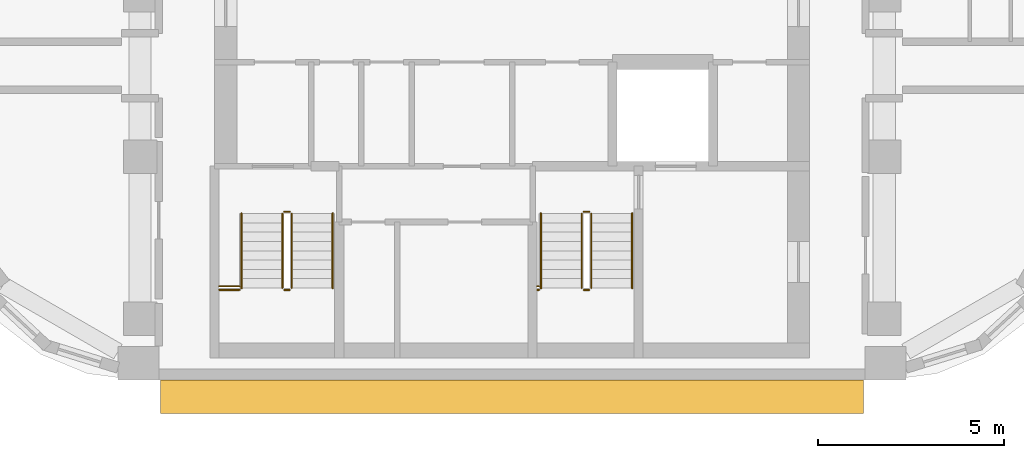
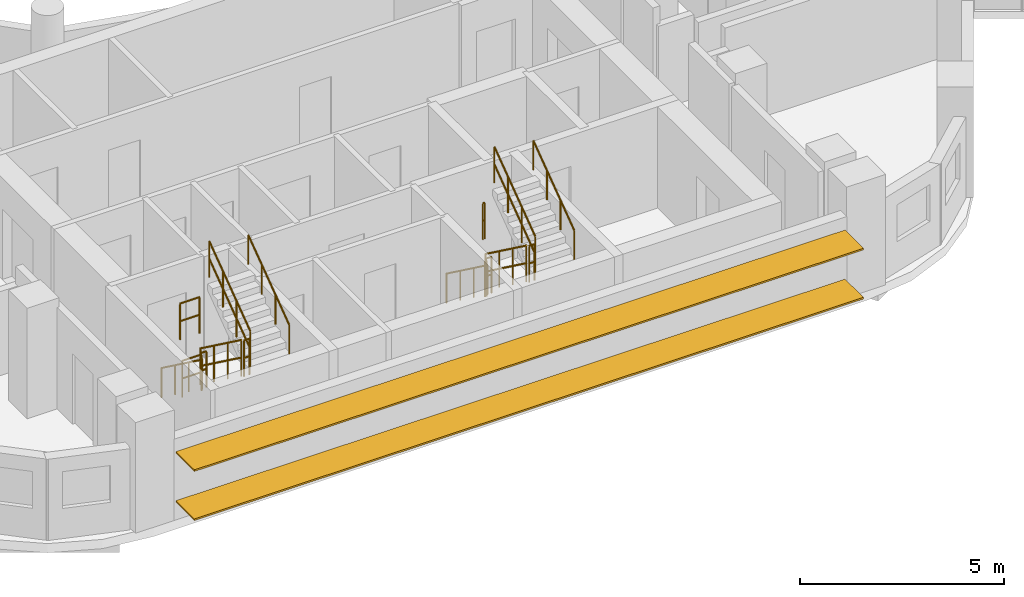
# One storey, part 12 of 14: 16 railings, 2 shading devices.
"""IFC4 building model written with IfcOpenShell, lengths in metres."""

from ifc_helpers import new_model, si_unit, direction, frame, origin, origin_2d, place, context, subcontext, project, spatial, rectangle, circle, extrude, material, material_profile, profile_set, type_object, element, save


model = new_model("IFC4")

# Units and contexts
model_context = context("Model", 3, precision=1e-05, world=origin(), true_north=direction((0.0, 1.0)))
body_context = subcontext(model_context, "Body", "Model", "MODEL_VIEW")
ifc_project = project(units=[si_unit("LENGTHUNIT", "METRE"), si_unit("AREAUNIT", "SQUARE_METRE"), si_unit("VOLUMEUNIT", "CUBIC_METRE"), si_unit("PLANEANGLEUNIT", "RADIAN"), si_unit("MASSUNIT", "GRAM", prefix="KILO")], contexts=[model_context])

# Site, building, storey
site_placement = place(None, origin())
site = spatial("IfcSite", under=ifc_project, at=site_placement, CompositionType="ELEMENT")
building_placement = place(site_placement, origin())
building = spatial("IfcBuilding", under=site, at=building_placement, Name="Nakaniwa Court", CompositionType="ELEMENT")
storey_placement = place(building_placement, frame((0.0, 0.0, 265.800048828125)))
storey = spatial("IfcBuildingStorey", under=building, at=storey_placement, Name="L70", CompositionType="ELEMENT", Elevation=265.800048828125)

# Shading devices
ifc_material_1 = material(Name="Perforated charcoal ceramic louvre blade")
ifc_material_profile = material_profile(ifc_material_1, rectangle(XDim=0.89990234375, YDim=0.050048828125, at=origin_2d()), Name="Perforated ceramic louvre blade")
ifc_profile_set = profile_set([ifc_material_profile], Name="Perforated charcoal ceramic louvre blade")
shading_device_type = type_object("IfcShadingDeviceType", Name="Perforated ceramic louvre blade", PredefinedType="JALOUSIE", material=ifc_profile_set)
for number, where, z_axis, x_axis, name in (
    (1, (70.55078125, 56.89990234375, 0.550048828125), (1.0, 0.0, 0.0), (0.0, 1.0, 0.0), "L70 perforated ceramic louvre blade w26 1"),
    (2, (70.55078125, 56.89990234375, 2.014892578125), (1.0, 0.0, 0.0), (0.0, 1.0, 0.0), "L70 perforated ceramic louvre blade w26 2"),
):
    element("IfcShadingDevice", number, at=place(storey_placement, frame(where, z_axis=z_axis, x_axis=x_axis)), inside=storey, type_object=shading_device_type, Name=name, PredefinedType="JALOUSIE", context=body_context, shape_type="SweptSolid", body=[
        extrude(rectangle(XDim=0.89990234375, YDim=0.050048828125, at=origin_2d()), origin(), (0.0, 0.0, 1.0), 18.892822265625),
    ])

# Railings
ifc_material_2 = material(Name="Black powder coated steel guard", Category="steel")
railing_type_1 = type_object("IfcRailingType", Name="Stair guard 1100", PredefinedType="GUARDRAIL", material=ifc_material_2)
railing_1_placement = place(storey_placement, frame((73.824951171875, 61.824951171875, 0.183349609375)))
element("IfcRailing", 3, at=railing_1_placement, inside=storey, type_object=railing_type_1, Name="L70 ST3 stair guard 1", PredefinedType="GUARDRAIL", context=body_context, shape_type="SweptSolid", body=[
    extrude(circle(Radius=0.02392578125, at=origin_2d()), frame((0.0, 0.0, 1.076171875), z_axis=(0.0, -0.806426902644, 0.591333789573), x_axis=(1.0, 0.0, 0.0)), (0.0, 0.0, 1.0), 2.47998046875),
    extrude(circle(Radius=0.02392578125, at=origin_2d()), frame((0.0, 0.0, 0.550048828125), z_axis=(0.0, -0.806426902644, 0.591333789573), x_axis=(1.0, 0.0, 0.0)), (0.0, 0.0, 1.0), 2.47998046875),
    extrude(circle(Radius=0.02099609375, at=origin_2d()), origin(), (0.0, 0.0, 1.0), 1.052001953125),
    extrude(circle(Radius=0.02099609375, at=origin_2d()), frame((0.0, -0.666748046875, 0.48876953125)), (0.0, 0.0, 1.0), 1.052001953125),
    extrude(circle(Radius=0.02099609375, at=origin_2d()), frame((0.0, -1.333251953125, 0.977783203125)), (0.0, 0.0, 1.0), 1.052001953125),
    extrude(circle(Radius=0.02099609375, at=origin_2d()), frame((0.0, -2.0, 1.466552734375)), (0.0, 0.0, 1.0), 1.052001953125),
])
railing_2_placement = place(storey_placement, frame((73.875, 59.77490234375, 1.64990234375)))
element("IfcRailing", 4, at=railing_2_placement, inside=storey, type_object=railing_type_1, Name="L70 ST3 stair guard 2", PredefinedType="GUARDRAIL", context=body_context, shape_type="SweptSolid", body=[
    extrude(circle(Radius=0.02392578125, at=origin_2d()), frame((0.0, 0.0, 1.076171875), z_axis=(1.0, 0.0, 0.0), x_axis=(0.0, 1.0, 0.0)), (0.0, 0.0, 1.0), 0.14990234375),
    extrude(circle(Radius=0.02392578125, at=origin_2d()), frame((0.0, 0.0, 0.550048828125), z_axis=(1.0, 0.0, 0.0), x_axis=(0.0, 1.0, 0.0)), (0.0, 0.0, 1.0), 0.14990234375),
    extrude(circle(Radius=0.02099609375, at=origin_2d()), origin(), (0.0, 0.0, 1.0), 1.052001953125),
    extrude(circle(Radius=0.02099609375, at=origin_2d()), frame((0.14990234375, 0.0, 0.0)), (0.0, 0.0, 1.0), 1.052001953125),
])
railing_3_placement = place(storey_placement, frame((74.074951171875, 59.824951171875, 1.833251953125)))
element("IfcRailing", 5, at=railing_3_placement, inside=storey, type_object=railing_type_1, Name="L70 ST3 stair guard 3", PredefinedType="GUARDRAIL", context=body_context, shape_type="SweptSolid", body=[
    extrude(circle(Radius=0.02392578125, at=origin_2d()), frame((0.0, 0.0, 1.076171875), z_axis=(0.0, 0.806379959628, 0.591397802423), x_axis=(-1.0, 0.0, 0.0)), (0.0, 0.0, 1.0), 2.480224609375),
    extrude(circle(Radius=0.02392578125, at=origin_2d()), frame((0.0, 0.0, 0.550048828125), z_axis=(0.0, 0.806379959628, 0.591397802423), x_axis=(-1.0, 0.0, 0.0)), (0.0, 0.0, 1.0), 2.480224609375),
    extrude(circle(Radius=0.02099609375, at=origin_2d()), origin(), (0.0, 0.0, 1.0), 1.052001953125),
    extrude(circle(Radius=0.02099609375, at=origin_2d()), frame((0.0, 0.666748046875, 0.489013671875)), (0.0, 0.0, 1.0), 1.052001953125),
    extrude(circle(Radius=0.02099609375, at=origin_2d()), frame((0.0, 1.333251953125, 0.977783203125)), (0.0, 0.0, 1.0), 1.052001953125),
    extrude(circle(Radius=0.02099609375, at=origin_2d()), frame((0.0, 2.0, 1.466796875)), (0.0, 0.0, 1.0), 1.052001953125),
])
railing_4_placement = place(storey_placement, frame((73.875, 61.875, 0.0)))
element("IfcRailing", 6, at=railing_4_placement, inside=storey, type_object=railing_type_1, Name="L70 ST3 stair guard 4", PredefinedType="GUARDRAIL", context=body_context, shape_type="SweptSolid", body=[
    extrude(circle(Radius=0.02392578125, at=origin_2d()), frame((0.0, 0.0, 1.076171875), z_axis=(1.0, 0.0, 0.0), x_axis=(0.0, 1.0, 0.0)), (0.0, 0.0, 1.0), 0.14990234375),
    extrude(circle(Radius=0.02392578125, at=origin_2d()), frame((0.0, 0.0, 0.550048828125), z_axis=(1.0, 0.0, 0.0), x_axis=(0.0, 1.0, 0.0)), (0.0, 0.0, 1.0), 0.14990234375),
    extrude(circle(Radius=0.02099609375, at=origin_2d()), origin(), (0.0, 0.0, 1.0), 1.052001953125),
    extrude(circle(Radius=0.02099609375, at=origin_2d()), frame((0.14990234375, 0.0, 0.0)), (0.0, 0.0, 1.0), 1.052001953125),
])
for number, where, name in (
    (7, (72.125, 59.77490234375, 1.64990234375), "L70 ST3 landing side guard 1W"),
    (8, (72.125, 59.875, 3.300048828125), "L70 ST3 floor edge guard 1W"),
):
    element("IfcRailing", number, at=place(storey_placement, frame(where)), inside=storey, type_object=railing_type_1, Name=name, PredefinedType="GUARDRAIL", context=body_context, shape_type="SweptSolid", body=[
        extrude(circle(Radius=0.02392578125, at=origin_2d()), frame((0.0, 0.0, 1.076171875), z_axis=(1.0, 0.0, 0.0), x_axis=(0.0, 1.0, 0.0)), (0.0, 0.0, 1.0), 0.550048828125),
        extrude(circle(Radius=0.02392578125, at=origin_2d()), frame((0.0, 0.0, 0.550048828125), z_axis=(1.0, 0.0, 0.0), x_axis=(0.0, 1.0, 0.0)), (0.0, 0.0, 1.0), 0.550048828125),
        extrude(circle(Radius=0.02099609375, at=origin_2d()), origin(), (0.0, 0.0, 1.0), 1.052001953125),
        extrude(circle(Radius=0.02099609375, at=origin_2d()), frame((0.550048828125, 0.0, 0.0)), (0.0, 0.0, 1.0), 1.052001953125),
    ])
railing_5_placement = place(storey_placement, frame((81.875, 61.824951171875, 0.183349609375)))
element("IfcRailing", 9, at=railing_5_placement, inside=storey, type_object=railing_type_1, Name="L70 ST4 stair guard 1", PredefinedType="GUARDRAIL", context=body_context, shape_type="SweptSolid", body=[
    extrude(circle(Radius=0.02392578125, at=origin_2d()), frame((0.0, 0.0, 1.076171875), z_axis=(0.0, -0.806426902644, 0.591333789573), x_axis=(1.0, 0.0, 0.0)), (0.0, 0.0, 1.0), 2.47998046875),
    extrude(circle(Radius=0.02392578125, at=origin_2d()), frame((0.0, 0.0, 0.550048828125), z_axis=(0.0, -0.806426902644, 0.591333789573), x_axis=(1.0, 0.0, 0.0)), (0.0, 0.0, 1.0), 2.47998046875),
    extrude(circle(Radius=0.02099609375, at=origin_2d()), origin(), (0.0, 0.0, 1.0), 1.052001953125),
    extrude(circle(Radius=0.02099609375, at=origin_2d()), frame((0.0, -0.666748046875, 0.48876953125)), (0.0, 0.0, 1.0), 1.052001953125),
    extrude(circle(Radius=0.02099609375, at=origin_2d()), frame((0.0, -1.333251953125, 0.977783203125)), (0.0, 0.0, 1.0), 1.052001953125),
    extrude(circle(Radius=0.02099609375, at=origin_2d()), frame((0.0, -2.0, 1.466552734375)), (0.0, 0.0, 1.0), 1.052001953125),
])
railing_6_placement = place(storey_placement, frame((81.925048828125, 59.77490234375, 1.64990234375)))
element("IfcRailing", 10, at=railing_6_placement, inside=storey, type_object=railing_type_1, Name="L70 ST4 stair guard 2", PredefinedType="GUARDRAIL", context=body_context, shape_type="SweptSolid", body=[
    extrude(circle(Radius=0.02392578125, at=origin_2d()), frame((0.0, 0.0, 1.076171875), z_axis=(1.0, 0.0, 0.0), x_axis=(0.0, 1.0, 0.0)), (0.0, 0.0, 1.0), 0.14990234375),
    extrude(circle(Radius=0.02392578125, at=origin_2d()), frame((0.0, 0.0, 0.550048828125), z_axis=(1.0, 0.0, 0.0), x_axis=(0.0, 1.0, 0.0)), (0.0, 0.0, 1.0), 0.14990234375),
    extrude(circle(Radius=0.02099609375, at=origin_2d()), origin(), (0.0, 0.0, 1.0), 1.052001953125),
    extrude(circle(Radius=0.02099609375, at=origin_2d()), frame((0.14990234375, 0.0, 0.0)), (0.0, 0.0, 1.0), 1.052001953125),
])
railing_7_placement = place(storey_placement, frame((82.125, 59.824951171875, 1.833251953125)))
element("IfcRailing", 11, at=railing_7_placement, inside=storey, type_object=railing_type_1, Name="L70 ST4 stair guard 3", PredefinedType="GUARDRAIL", context=body_context, shape_type="SweptSolid", body=[
    extrude(circle(Radius=0.02392578125, at=origin_2d()), frame((0.0, 0.0, 1.076171875), z_axis=(0.0, 0.806379959628, 0.591397802423), x_axis=(-1.0, 0.0, 0.0)), (0.0, 0.0, 1.0), 2.480224609375),
    extrude(circle(Radius=0.02392578125, at=origin_2d()), frame((0.0, 0.0, 0.550048828125), z_axis=(0.0, 0.806379959628, 0.591397802423), x_axis=(-1.0, 0.0, 0.0)), (0.0, 0.0, 1.0), 2.480224609375),
    extrude(circle(Radius=0.02099609375, at=origin_2d()), origin(), (0.0, 0.0, 1.0), 1.052001953125),
    extrude(circle(Radius=0.02099609375, at=origin_2d()), frame((0.0, 0.666748046875, 0.489013671875)), (0.0, 0.0, 1.0), 1.052001953125),
    extrude(circle(Radius=0.02099609375, at=origin_2d()), frame((0.0, 1.333251953125, 0.977783203125)), (0.0, 0.0, 1.0), 1.052001953125),
    extrude(circle(Radius=0.02099609375, at=origin_2d()), frame((0.0, 2.0, 1.466796875)), (0.0, 0.0, 1.0), 1.052001953125),
])
railing_8_placement = place(storey_placement, frame((81.925048828125, 61.875, 0.0)))
element("IfcRailing", 12, at=railing_8_placement, inside=storey, type_object=railing_type_1, Name="L70 ST4 stair guard 4", PredefinedType="GUARDRAIL", context=body_context, shape_type="SweptSolid", body=[
    extrude(circle(Radius=0.02392578125, at=origin_2d()), frame((0.0, 0.0, 1.076171875), z_axis=(1.0, 0.0, 0.0), x_axis=(0.0, 1.0, 0.0)), (0.0, 0.0, 1.0), 0.14990234375),
    extrude(circle(Radius=0.02392578125, at=origin_2d()), frame((0.0, 0.0, 0.550048828125), z_axis=(1.0, 0.0, 0.0), x_axis=(0.0, 1.0, 0.0)), (0.0, 0.0, 1.0), 0.14990234375),
    extrude(circle(Radius=0.02099609375, at=origin_2d()), origin(), (0.0, 0.0, 1.0), 1.052001953125),
    extrude(circle(Radius=0.02099609375, at=origin_2d()), frame((0.14990234375, 0.0, 0.0)), (0.0, 0.0, 1.0), 1.052001953125),
])
for number, where, name in (
    (13, (80.675048828125, 59.77490234375, 1.64990234375), "L70 ST4 landing side guard 1W"),
    (14, (80.675048828125, 59.875, 3.300048828125), "L70 ST4 floor edge guard 1W"),
):
    element("IfcRailing", number, at=place(storey_placement, frame(where)), inside=storey, type_object=railing_type_1, Name=name, PredefinedType="GUARDRAIL", context=body_context, shape_type="SweptSolid", body=[
        extrude(circle(Radius=0.02392578125, at=origin_2d()), frame((0.0, 0.0, 1.076171875), z_axis=(1.0, 0.0, 0.0), x_axis=(0.0, 1.0, 0.0)), (0.0, 0.0, 1.0), 0.050048828125),
        extrude(circle(Radius=0.02392578125, at=origin_2d()), frame((0.0, 0.0, 0.550048828125), z_axis=(1.0, 0.0, 0.0), x_axis=(0.0, 1.0, 0.0)), (0.0, 0.0, 1.0), 0.050048828125),
        extrude(circle(Radius=0.02099609375, at=origin_2d()), origin(), (0.0, 0.0, 1.0), 1.052001953125),
        extrude(circle(Radius=0.02099609375, at=origin_2d()), frame((0.050048828125, 0.0, 0.0)), (0.0, 0.0, 1.0), 1.052001953125),
    ])
ifc_material_3 = material(Name="Black powder coated steel handrail", Category="steel")
railing_type_2 = type_object("IfcRailingType", Name="Stair handrail 900", PredefinedType="HANDRAIL", material=ifc_material_3)
railing_9_placement = place(storey_placement, frame((72.72509765625, 61.824951171875, 0.183349609375)))
element("IfcRailing", 15, at=railing_9_placement, inside=storey, type_object=railing_type_2, Name="L70 ST3 stair handrail 1", PredefinedType="HANDRAIL", context=body_context, shape_type="SweptSolid", body=[
    extrude(circle(Radius=0.02392578125, at=origin_2d()), frame((0.0, 0.0, 0.8759765625), z_axis=(0.0, -0.806426902644, 0.591333789573), x_axis=(1.0, 0.0, 0.0)), (0.0, 0.0, 1.0), 2.47998046875),
    extrude(circle(Radius=0.02099609375, at=origin_2d()), origin(), (0.0, 0.0, 1.0), 0.851806640625),
    extrude(circle(Radius=0.02099609375, at=origin_2d()), frame((0.0, -0.666748046875, 0.48876953125)), (0.0, 0.0, 1.0), 0.851806640625),
    extrude(circle(Radius=0.02099609375, at=origin_2d()), frame((0.0, -1.333251953125, 0.977783203125)), (0.0, 0.0, 1.0), 0.851806640625),
    extrude(circle(Radius=0.02099609375, at=origin_2d()), frame((0.0, -2.0, 1.466552734375)), (0.0, 0.0, 1.0), 0.851806640625),
])
railing_10_placement = place(storey_placement, frame((75.175048828125, 59.824951171875, 1.833251953125)))
element("IfcRailing", 16, at=railing_10_placement, inside=storey, type_object=railing_type_2, Name="L70 ST3 stair handrail 2", PredefinedType="HANDRAIL", context=body_context, shape_type="SweptSolid", body=[
    extrude(circle(Radius=0.02392578125, at=origin_2d()), frame((0.0, 0.0, 0.8759765625), z_axis=(0.0, 0.806379959628, 0.591397802423), x_axis=(-1.0, 0.0, 0.0)), (0.0, 0.0, 1.0), 2.480224609375),
    extrude(circle(Radius=0.02099609375, at=origin_2d()), origin(), (0.0, 0.0, 1.0), 0.851806640625),
    extrude(circle(Radius=0.02099609375, at=origin_2d()), frame((0.0, 0.666748046875, 0.489013671875)), (0.0, 0.0, 1.0), 0.851806640625),
    extrude(circle(Radius=0.02099609375, at=origin_2d()), frame((0.0, 1.333251953125, 0.977783203125)), (0.0, 0.0, 1.0), 0.851806640625),
    extrude(circle(Radius=0.02099609375, at=origin_2d()), frame((0.0, 2.0, 1.466796875)), (0.0, 0.0, 1.0), 0.851806640625),
])
railing_11_placement = place(storey_placement, frame((80.77490234375, 61.824951171875, 0.183349609375)))
element("IfcRailing", 17, at=railing_11_placement, inside=storey, type_object=railing_type_2, Name="L70 ST4 stair handrail 1", PredefinedType="HANDRAIL", context=body_context, shape_type="SweptSolid", body=[
    extrude(circle(Radius=0.02392578125, at=origin_2d()), frame((0.0, 0.0, 0.8759765625), z_axis=(0.0, -0.806426902644, 0.591333789573), x_axis=(1.0, 0.0, 0.0)), (0.0, 0.0, 1.0), 2.47998046875),
    extrude(circle(Radius=0.02099609375, at=origin_2d()), origin(), (0.0, 0.0, 1.0), 0.851806640625),
    extrude(circle(Radius=0.02099609375, at=origin_2d()), frame((0.0, -0.666748046875, 0.48876953125)), (0.0, 0.0, 1.0), 0.851806640625),
    extrude(circle(Radius=0.02099609375, at=origin_2d()), frame((0.0, -1.333251953125, 0.977783203125)), (0.0, 0.0, 1.0), 0.851806640625),
    extrude(circle(Radius=0.02099609375, at=origin_2d()), frame((0.0, -2.0, 1.466552734375)), (0.0, 0.0, 1.0), 0.851806640625),
])
railing_12_placement = place(storey_placement, frame((83.22509765625, 59.824951171875, 1.833251953125)))
element("IfcRailing", 18, at=railing_12_placement, inside=storey, type_object=railing_type_2, Name="L70 ST4 stair handrail 2", PredefinedType="HANDRAIL", context=body_context, shape_type="SweptSolid", body=[
    extrude(circle(Radius=0.02392578125, at=origin_2d()), frame((0.0, 0.0, 0.8759765625), z_axis=(0.0, 0.806379959628, 0.591397802423), x_axis=(-1.0, 0.0, 0.0)), (0.0, 0.0, 1.0), 2.480224609375),
    extrude(circle(Radius=0.02099609375, at=origin_2d()), origin(), (0.0, 0.0, 1.0), 0.851806640625),
    extrude(circle(Radius=0.02099609375, at=origin_2d()), frame((0.0, 0.666748046875, 0.489013671875)), (0.0, 0.0, 1.0), 0.851806640625),
    extrude(circle(Radius=0.02099609375, at=origin_2d()), frame((0.0, 1.333251953125, 0.977783203125)), (0.0, 0.0, 1.0), 0.851806640625),
    extrude(circle(Radius=0.02099609375, at=origin_2d()), frame((0.0, 2.0, 1.466796875)), (0.0, 0.0, 1.0), 0.851806640625),
])

save(model, "model.ifc")
